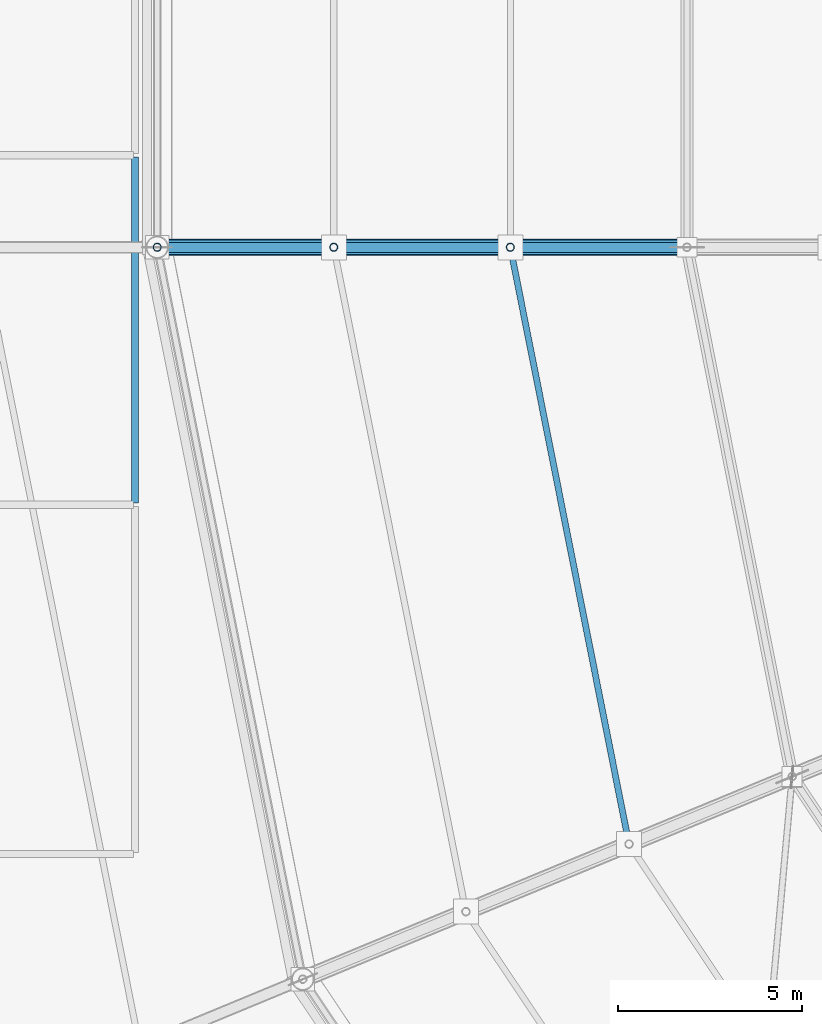
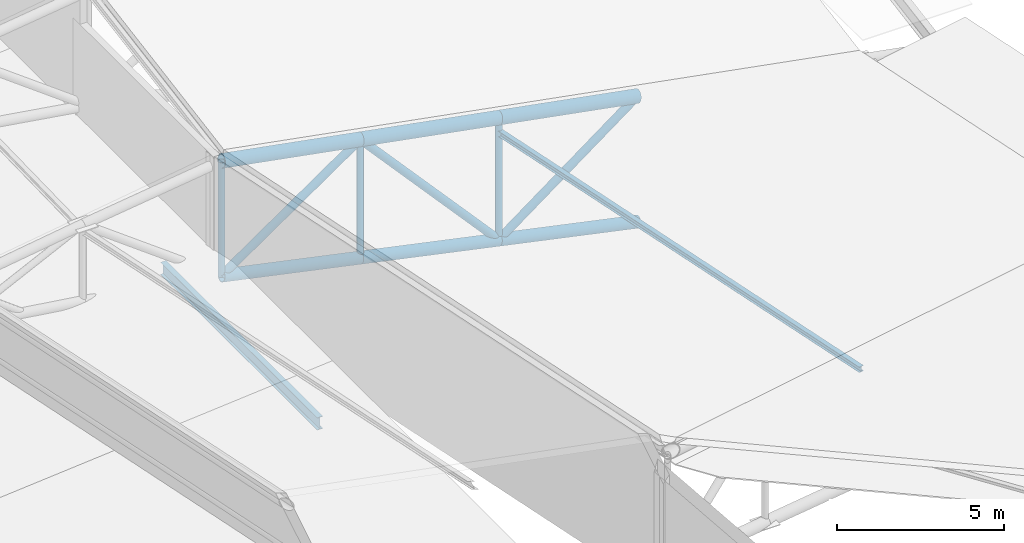
# One storey, part 24 of 146: 13 members, 1 beam.
"""IFC4 building model written with IfcOpenShell, lengths in metres."""

from ifc_helpers import new_model, si_unit, direction, frame, origin, origin_2d, place, context, subcontext, project, spatial, hollow_circle, i_section, extrude, material, material_profile, profile_set, type_object, element, save


model = new_model("IFC4")

# Units and contexts
model_context = context("Model", 3, precision=1e-05, world=origin(), true_north=direction((0.0, 1.0)))
body_context = subcontext(model_context, "Body", "Model", "MODEL_VIEW")
ifc_project = project(units=[si_unit("LENGTHUNIT", "METRE"), si_unit("AREAUNIT", "SQUARE_METRE"), si_unit("VOLUMEUNIT", "CUBIC_METRE"), si_unit("PLANEANGLEUNIT", "RADIAN"), si_unit("MASSUNIT", "GRAM", prefix="KILO")], contexts=[model_context])

# Site, building, storey
site_placement = place(None, origin())
site = spatial("IfcSite", under=ifc_project, at=site_placement, CompositionType="ELEMENT")
building_placement = place(site_placement, origin())
building = spatial("IfcBuilding", under=site, at=building_placement, Name="Candeia Ridge Stadium", CompositionType="ELEMENT")
storey_placement = place(building_placement, frame((0.0, 0.0, 31.800048828125)))
storey = spatial("IfcBuildingStorey", under=building, at=storey_placement, Name="RF", CompositionType="ELEMENT", Elevation=31.800048828125)

# Beam
ifc_material = material(Name="Steel ASTM A572 Grade 50", Category="steel")
ifc_material_profile_1 = material_profile(ifc_material, i_section(OverallWidth=0.18994140625, OverallDepth=0.45703125, WebThickness=0.009033203125, FlangeThickness=0.014404296875, FilletRadius=0.012939453125, at=origin_2d()), Name="W460x74", Category="steel")
ifc_profile_set_1 = profile_set([ifc_material_profile_1], Name="Steel ASTM A572 Grade 50")
beam_type = type_object("IfcBeamType", Name="Pavilion Steel Girder W460x74", PredefinedType="BEAM", material=ifc_profile_set_1)
beam_placement = place(storey_placement, frame((18.39990234375, 64.050048828125, -0.57861328125), z_axis=(0.0, 1.0, 0.0), x_axis=(-1.0, 0.0, 0.0)))
element("IfcBeam", 1, at=beam_placement, inside=storey, type_object=beam_type, Name="Structural girder BM-RF-1434", PredefinedType="BEAM", context=body_context, shape_type="SweptSolid", body=[
    extrude(i_section(OverallWidth=0.18994140625, OverallDepth=0.45703125, WebThickness=0.009033203125, FlangeThickness=0.014404296875, FilletRadius=0.012939453125, at=origin_2d()), origin(), (0.0, 0.0, 1.0), 9.39990234375),
])

# Members
ifc_material_profile_2 = material_profile(ifc_material, i_section(OverallWidth=0.1650390625, OverallDepth=0.200927734375, WebThickness=0.006103515625, FlangeThickness=0.01025390625, FilletRadius=0.010009765625, at=origin_2d()), Name="W200x35.9", Category="steel")
ifc_profile_set_2 = profile_set([ifc_material_profile_2], Name="Steel ASTM A572 Grade 50")
member_type_1 = type_object("IfcMemberType", Name="Roof Purlin W200x35.9", PredefinedType="PURLIN", material=ifc_profile_set_2)
member_1_placement = place(storey_placement, frame((28.60986328125, 70.950927734375, 2.303955078125), z_axis=(0.195091006457, -0.980785144259, 0.0), x_axis=(0.980785144259, 0.195091006457, 0.0)))
element("IfcMember", 2, at=member_1_placement, inside=storey, type_object=member_type_1, Name="Saddle roof steel purlin bay 15-3", PredefinedType="PURLIN", context=body_context, shape_type="SweptSolid", body=[
    extrude(i_section(OverallWidth=0.1650390625, OverallDepth=0.200927734375, WebThickness=0.006103515625, FlangeThickness=0.01025390625, FilletRadius=0.010009765625, at=origin_2d()), origin(), (0.0, 0.0, 1.0), 16.443603515625),
])
ifc_material_profile_3 = material_profile(ifc_material, hollow_circle(Radius=0.136474609375, WallThickness=0.010009765625, at=origin_2d()), Name="CHS273x10", Category="steel")
ifc_profile_set_3 = profile_set([ifc_material_profile_3], Name="Steel ASTM A572 Grade 50")
member_type_2 = type_object("IfcMemberType", Name="Roof Truss Heavy Web Brace CHS273x10", PredefinedType="BRACE", material=ifc_profile_set_3)
member_2_placement = place(storey_placement, frame((33.39990234375, 71.0, 1.93603515625), z_axis=(-0.801680135344, 0.0, -0.597753260631), x_axis=(0.0, -1.0, 0.0)))
element("IfcMember", 3, at=member_2_placement, inside=storey, type_object=member_type_2, Name="Roof cantilever truss RT-15 diagonal web 4", PredefinedType="BRACE", context=body_context, shape_type="SweptSolid", body=[
    extrude(hollow_circle(Radius=0.136474609375, WallThickness=0.010009765625, at=origin_2d()), origin(), (0.0, 0.0, 1.0), 5.987060546875),
])
member_3_placement = place(storey_placement, frame((28.60009765625, 71.0, -1.642822265625), z_axis=(-0.667487252066, 0.0, 0.744621224737), x_axis=(0.0, -1.0, 0.0)))
element("IfcMember", 4, at=member_3_placement, inside=storey, type_object=member_type_2, Name="Roof cantilever truss RT-15 diagonal web 5", PredefinedType="BRACE", context=body_context, shape_type="SweptSolid", body=[
    extrude(hollow_circle(Radius=0.136474609375, WallThickness=0.010009765625, at=origin_2d()), origin(), (0.0, 0.0, 1.0), 7.191162109375),
])
member_4_placement = place(storey_placement, frame((23.800048828125, 71.0, 3.7119140625), z_axis=(-0.823081876777, 0.0, -0.567922727245), x_axis=(0.0, -1.0, 0.0)))
element("IfcMember", 5, at=member_4_placement, inside=storey, type_object=member_type_2, Name="Roof cantilever truss RT-15 diagonal web 6", PredefinedType="BRACE", context=body_context, shape_type="SweptSolid", body=[
    extrude(hollow_circle(Radius=0.136474609375, WallThickness=0.010009765625, at=origin_2d()), origin(), (0.0, 0.0, 1.0), 5.831787109375),
])
ifc_material_profile_4 = material_profile(ifc_material, hollow_circle(Radius=0.109619140625, WallThickness=0.010009765625, at=origin_2d()), Name="CHS219x10", Category="steel")
ifc_profile_set_4 = profile_set([ifc_material_profile_4], Name="Steel ASTM A572 Grade 50")
member_type_3 = type_object("IfcMemberType", Name="Roof Truss Inner Web Brace CHS219x10", PredefinedType="BRACE", material=ifc_profile_set_4)
member_5_placement = place(storey_placement, frame((28.60009765625, 71.0, -1.642822265625), z_axis=(0.0, 0.0, 1.0), x_axis=(1.0, 0.0, 0.0)))
element("IfcMember", 6, at=member_5_placement, inside=storey, type_object=member_type_3, Name="Roof cantilever truss RT-15 vertical post 4", PredefinedType="BRACE", context=body_context, shape_type="SweptSolid", body=[
    extrude(hollow_circle(Radius=0.109619140625, WallThickness=0.010009765625, at=origin_2d()), origin(), (0.0, 0.0, 1.0), 4.466796875),
])
member_6_placement = place(storey_placement, frame((23.800048828125, 71.0, -0.621337890625), z_axis=(0.0, 0.0, 1.0), x_axis=(1.0, 0.0, 0.0)))
element("IfcMember", 7, at=member_6_placement, inside=storey, type_object=member_type_3, Name="Roof cantilever truss RT-15 vertical post 5", PredefinedType="BRACE", context=body_context, shape_type="SweptSolid", body=[
    extrude(hollow_circle(Radius=0.109619140625, WallThickness=0.010009765625, at=origin_2d()), origin(), (0.0, 0.0, 1.0), 4.333251953125),
])
member_7_placement = place(storey_placement, frame((19.0, 71.0, 0.39990234375), z_axis=(0.0, 0.0, 1.0), x_axis=(1.0, 0.0, 0.0)))
element("IfcMember", 8, at=member_7_placement, inside=storey, type_object=member_type_3, Name="Roof cantilever truss RT-15 vertical post 6", PredefinedType="BRACE", context=body_context, shape_type="SweptSolid", body=[
    extrude(hollow_circle(Radius=0.109619140625, WallThickness=0.010009765625, at=origin_2d()), origin(), (0.0, 0.0, 1.0), 4.199951171875),
])
ifc_material_profile_5 = material_profile(ifc_material, hollow_circle(Radius=0.228515625, WallThickness=0.02001953125, at=origin_2d()), Name="CHS457x20", Category="steel")
ifc_profile_set_5 = profile_set([ifc_material_profile_5], Name="Steel ASTM A572 Grade 50")
member_type_4 = type_object("IfcMemberType", Name="Roof Truss Main Chord CHS457x20", PredefinedType="CHORD", material=ifc_profile_set_5)
member_8_placement = place(storey_placement, frame((33.39990234375, 71.0, 1.93603515625), z_axis=(-0.983315487156, 0.0, 0.181908363519), x_axis=(0.0, -1.0, 0.0)))
element("IfcMember", 9, at=member_8_placement, inside=storey, type_object=member_type_4, Name="Roof cantilever truss RT-15 top chord 4", PredefinedType="CHORD", context=body_context, shape_type="SweptSolid", body=[
    extrude(hollow_circle(Radius=0.228515625, WallThickness=0.02001953125, at=origin_2d()), origin(), (0.0, 0.0, 1.0), 4.88134765625),
])
for number, where, z_axis, x_axis, name in (
    (10, (28.60009765625, 71.0, 2.823974609375), (-0.983317142098, 0.0, 0.181899417416), (0.0, -1.0, 0.0), "Roof cantilever truss RT-15 top chord 5"),
    (11, (23.800048828125, 71.0, 3.7119140625), (-0.983317142098, 0.0, 0.181899417416), (0.0, -1.0, 0.0), "Roof cantilever truss RT-15 top chord 6"),
):
    element("IfcMember", number, at=place(storey_placement, frame(where, z_axis=z_axis, x_axis=x_axis)), inside=storey, type_object=member_type_4, Name=name, PredefinedType="CHORD", context=body_context, shape_type="SweptSolid", body=[
        extrude(hollow_circle(Radius=0.228515625, WallThickness=0.02001953125, at=origin_2d()), origin(), (0.0, 0.0, 1.0), 4.881591796875),
    ])
ifc_material_profile_6 = material_profile(ifc_material, hollow_circle(Radius=0.202880859375, WallThickness=0.01611328125, at=origin_2d()), Name="CHS406x16", Category="steel")
ifc_profile_set_6 = profile_set([ifc_material_profile_6], Name="Steel ASTM A572 Grade 50")
member_type_5 = type_object("IfcMemberType", Name="Roof Truss Outer Chord CHS406x16", PredefinedType="CHORD", material=ifc_profile_set_6)
member_9_placement = place(storey_placement, frame((33.39990234375, 71.0, -2.6640625), z_axis=(-0.978105713519, 0.0, 0.208108657154), x_axis=(0.0, -1.0, 0.0)))
element("IfcMember", 12, at=member_9_placement, inside=storey, type_object=member_type_5, Name="Roof cantilever truss RT-15 bottom chord 4", PredefinedType="CHORD", context=body_context, shape_type="SweptSolid", body=[
    extrude(hollow_circle(Radius=0.202880859375, WallThickness=0.01611328125, at=origin_2d()), origin(), (0.0, 0.0, 1.0), 4.9072265625),
])
for number, where, z_axis, x_axis, name in (
    (13, (28.60009765625, 71.0, -1.642822265625), (-0.978097741011, 0.0, 0.208146124225), (0.0, -1.0, 0.0), "Roof cantilever truss RT-15 bottom chord 5"),
    (14, (23.800048828125, 71.0, -0.621337890625), (-0.97810786804, 0.0, 0.208098530696), (0.0, -1.0, 0.0), "Roof cantilever truss RT-15 bottom chord 6"),
):
    element("IfcMember", number, at=place(storey_placement, frame(where, z_axis=z_axis, x_axis=x_axis)), inside=storey, type_object=member_type_5, Name=name, PredefinedType="CHORD", context=body_context, shape_type="SweptSolid", body=[
        extrude(hollow_circle(Radius=0.202880859375, WallThickness=0.01611328125, at=origin_2d()), origin(), (0.0, 0.0, 1.0), 4.907470703125),
    ])

save(model, "model.ifc")
